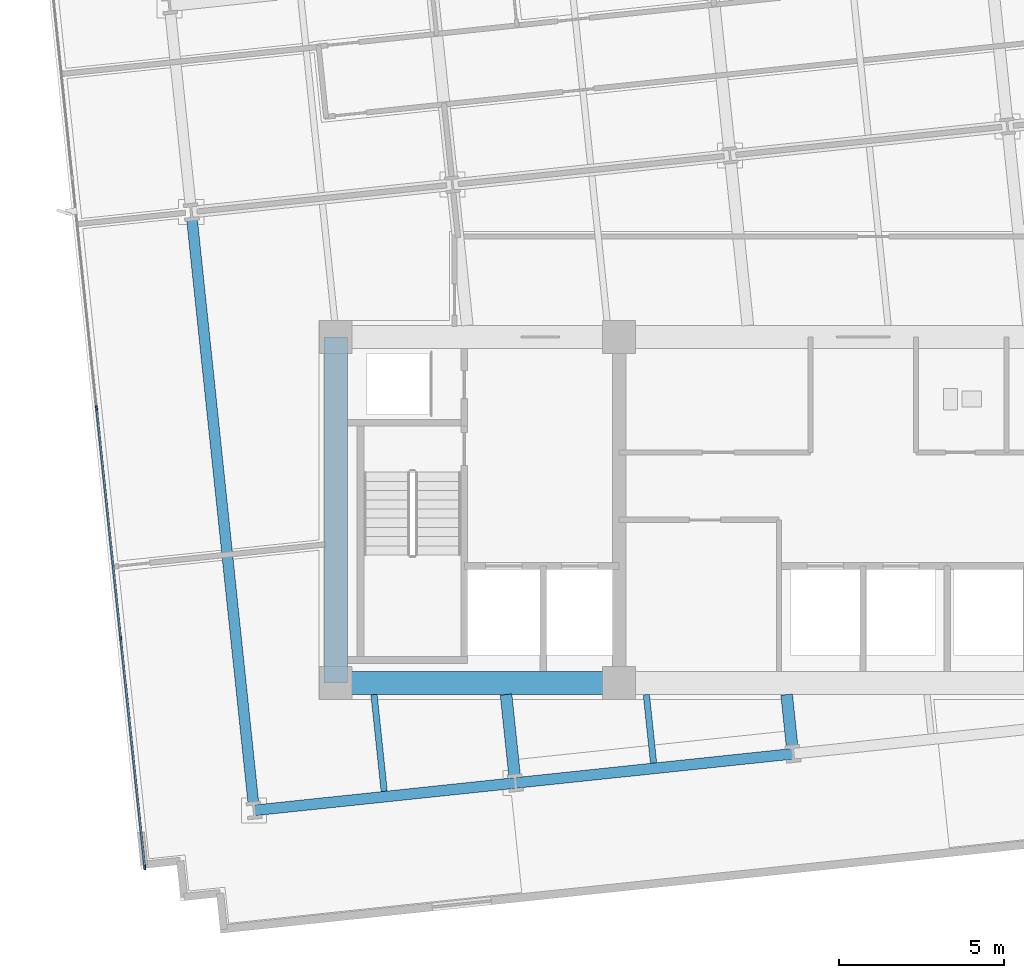
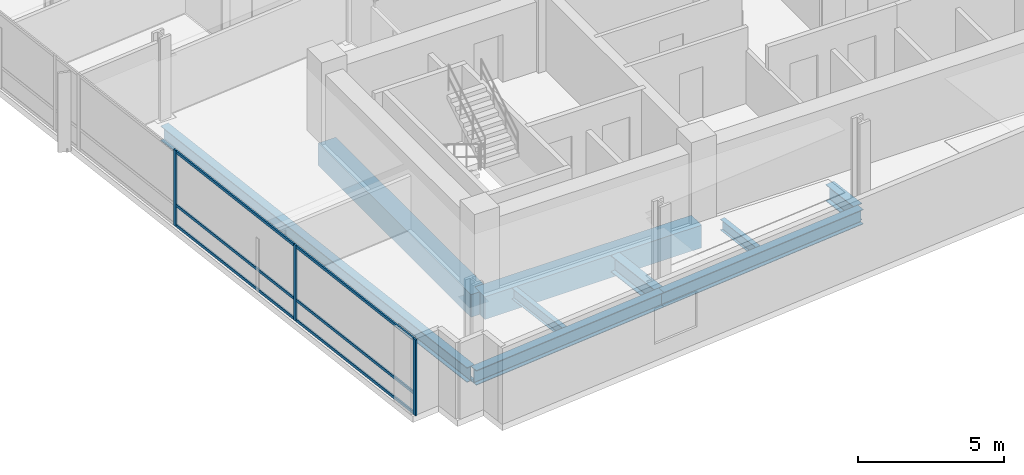
# One storey, part 2 of 20: 9 beams, 9 members, 1 element without a shape of its own.
"""IFC4 building model written with IfcOpenShell, lengths in metres."""

from ifc_helpers import new_model, si_unit, direction, frame, origin, origin_2d, place, context, subcontext, project, spatial, rectangle, i_section, extrude, material, material_profile, profile_set, type_object, element, aggregate, save


model = new_model("IFC4")

# Units and contexts
model_context = context("Model", 3, precision=1e-05, world=origin(), true_north=direction((0.0, 1.0)))
body_context = subcontext(model_context, "Body", "Model", "MODEL_VIEW")
ifc_project = project(units=[si_unit("LENGTHUNIT", "METRE"), si_unit("AREAUNIT", "SQUARE_METRE"), si_unit("VOLUMEUNIT", "CUBIC_METRE"), si_unit("PLANEANGLEUNIT", "RADIAN"), si_unit("MASSUNIT", "GRAM", prefix="KILO")], contexts=[model_context])

# Site, building, storey
site_placement = place(None, origin())
site = spatial("IfcSite", under=ifc_project, at=site_placement, CompositionType="ELEMENT")
building_placement = place(site_placement, origin())
building = spatial("IfcBuilding", under=site, at=building_placement, Name="Solmavex Isthmus Hotel", CompositionType="ELEMENT")
storey_placement = place(building_placement, frame((0.0, 0.0, 109.800048828125)))
storey = spatial("IfcBuildingStorey", under=building, at=storey_placement, Name="L29", CompositionType="ELEMENT", Elevation=109.800048828125)

# Beams
ifc_material_1 = material(Name="Steel ASTM A992 Grade 50", Category="steel")
ifc_material_profile_1 = material_profile(ifc_material_1, i_section(OverallWidth=0.354736328125, OverallDepth=0.695556640625, WebThickness=0.015380859375, FlangeThickness=0.02490234375, FilletRadius=0.017822265625, at=origin_2d()), Name="W27X146")
ifc_profile_set_1 = profile_set([ifc_material_profile_1], Name="Steel ASTM A992 Grade 50")
beam_type_1 = type_object("IfcBeamType", Name="BM-BG-W27X146", PredefinedType="BEAM", material=ifc_profile_set_1)
beam_1_placement = place(storey_placement, frame((-10.568115234375, -15.868896484375, -0.60791015625), z_axis=(-0.104589444628, 0.994515484079, 0.0), x_axis=(-0.994515484079, -0.104589444628, 0.0)))
element("IfcBeam", 1, at=beam_1_placement, inside=storey, type_object=beam_type_1, Name="Floor Beam L29-VG28", PredefinedType="BEAM", context=body_context, shape_type="SweptSolid", body=[
    extrude(i_section(OverallWidth=0.354736328125, OverallDepth=0.695556640625, WebThickness=0.015380859375, FlangeThickness=0.02490234375, FilletRadius=0.017822265625, at=origin_2d()), origin(), (0.0, 0.0, 1.0), 2.53271484375),
])
beam_2_placement = place(storey_placement, frame((-2.148681640625, -14.984130859375, -0.60791015625), z_axis=(-0.104460468373, 0.99452903957, 0.0), x_axis=(-0.99452903957, -0.104460468373, 0.0)))
element("IfcBeam", 2, at=beam_2_placement, inside=storey, type_object=beam_type_1, Name="Floor Beam L29-VG32", PredefinedType="BEAM", context=body_context, shape_type="SweptSolid", body=[
    extrude(i_section(OverallWidth=0.354736328125, OverallDepth=0.695556640625, WebThickness=0.015380859375, FlangeThickness=0.02490234375, FilletRadius=0.017822265625, at=origin_2d()), origin(), (0.0, 0.0, 1.0), 1.64306640625),
])
ifc_material_profile_2 = material_profile(ifc_material_1, i_section(OverallWidth=0.1904296875, OverallDepth=0.456787109375, WebThickness=0.009033203125, FlangeThickness=0.014404296875, FilletRadius=0.0126953125, at=origin_2d()), Name="W18X50")
ifc_profile_set_2 = profile_set([ifc_material_profile_2], Name="Steel ASTM A992 Grade 50")
beam_type_2 = type_object("IfcBeamType", Name="BM-BJ-W18X50", PredefinedType="JOIST", material=ifc_profile_set_2)
beam_3_placement = place(storey_placement, frame((-14.5302734375, -16.285400390625, -0.488525390625), z_axis=(-0.104555607512, 0.994519042019, 0.0), x_axis=(-0.994519042019, -0.104555607512, 0.0)))
element("IfcBeam", 3, at=beam_3_placement, inside=storey, type_object=beam_type_2, Name="Secondary Floor Joist L29-J01", PredefinedType="JOIST", context=body_context, shape_type="SweptSolid", body=[
    extrude(i_section(OverallWidth=0.1904296875, OverallDepth=0.456787109375, WebThickness=0.009033203125, FlangeThickness=0.014404296875, FilletRadius=0.0126953125, at=origin_2d()), origin(), (0.0, 0.0, 1.0), 2.951416015625),
])
beam_4_placement = place(storey_placement, frame((-6.3583984375, -15.426513671875, -0.488525390625), z_axis=(-0.104538696399, 0.99452081977, 0.0), x_axis=(-0.99452081977, -0.104538696399, 0.0)))
element("IfcBeam", 4, at=beam_4_placement, inside=storey, type_object=beam_type_2, Name="Secondary Floor Joist L29-J05", PredefinedType="JOIST", context=body_context, shape_type="SweptSolid", body=[
    extrude(i_section(OverallWidth=0.1904296875, OverallDepth=0.456787109375, WebThickness=0.009033203125, FlangeThickness=0.014404296875, FilletRadius=0.0126953125, at=origin_2d()), origin(), (0.0, 0.0, 1.0), 2.087890625),
])
ifc_material_2 = material(Name="Concrete C60/75", Category="concrete")
ifc_material_profile_3 = material_profile(ifc_material_2, rectangle(XDim=0.699951171875, YDim=0.949951171875, at=origin_2d()), Name="RC700X950")
ifc_profile_set_3 = profile_set([ifc_material_profile_3], Name="Concrete C60/75")
beam_type_3 = type_object("IfcBeamType", Name="BM-CB-700X950", PredefinedType="BEAM", material=ifc_profile_set_3)
beam_5_placement = place(storey_placement, frame((-16.0, -13.0, -0.735107421875), z_axis=(1.0, 0.0, 0.0), x_axis=(0.0, 1.0, 0.0)))
element("IfcBeam", 5, at=beam_5_placement, inside=storey, type_object=beam_type_3, Name="Core Coupling Beam L29-CB1", PredefinedType="BEAM", context=body_context, shape_type="SweptSolid", body=[
    extrude(rectangle(XDim=0.699951171875, YDim=0.949951171875, at=origin_2d()), origin(), (0.0, 0.0, 1.0), 8.60009765625),
])
beam_6_placement = place(storey_placement, frame((-16.0, -13.0, -0.735107421875), z_axis=(0.0, 1.0, 0.0), x_axis=(-1.0, 0.0, 0.0)))
element("IfcBeam", 6, at=beam_6_placement, inside=storey, type_object=beam_type_3, Name="Core Coupling Beam L29-CB7", PredefinedType="BEAM", context=body_context, shape_type="SweptSolid", body=[
    extrude(rectangle(XDim=0.699951171875, YDim=0.949951171875, at=origin_2d()), origin(), (0.0, 0.0, 1.0), 10.5),
])
ifc_material_profile_4 = material_profile(ifc_material_1, i_section(OverallWidth=0.326416015625, OverallDepth=0.621826171875, WebThickness=0.015380859375, FlangeThickness=0.0244140625, FilletRadius=0.01513671875, at=origin_2d()), Name="W24X131")
ifc_profile_set_4 = profile_set([ifc_material_profile_4], Name="Steel ASTM A992 Grade 50")
beam_type_4 = type_object("IfcBeamType", Name="BM-SP-W24X131", PredefinedType="SPANDREL", material=ifc_profile_set_4)
beam_7_placement = place(storey_placement, frame((-18.475341796875, -16.8642578125, -0.571044921875), z_axis=(0.994523402738, 0.104514120609, 0.0), x_axis=(-0.104514120609, 0.994523402738, 0.0)))
element("IfcBeam", 7, at=beam_7_placement, inside=storey, type_object=beam_type_4, Name="Floor Girder L29-UG01", PredefinedType="SPANDREL", context=body_context, shape_type="SweptSolid", body=[
    extrude(i_section(OverallWidth=0.326416015625, OverallDepth=0.621826171875, WebThickness=0.015380859375, FlangeThickness=0.0244140625, FilletRadius=0.01513671875, at=origin_2d()), origin(), (0.0, 0.0, 1.0), 7.968017578125),
])
beam_8_placement = place(storey_placement, frame((-10.551025390625, -16.031494140625, -0.571044921875), z_axis=(0.994520770064, 0.104539169271, 0.0), x_axis=(-0.104539169271, 0.994520770064, 0.0)))
element("IfcBeam", 8, at=beam_8_placement, inside=storey, type_object=beam_type_4, Name="Floor Girder L29-UG02", PredefinedType="SPANDREL", context=body_context, shape_type="SweptSolid", body=[
    extrude(i_section(OverallWidth=0.326416015625, OverallDepth=0.621826171875, WebThickness=0.015380859375, FlangeThickness=0.0244140625, FilletRadius=0.01513671875, at=origin_2d()), origin(), (0.0, 0.0, 1.0), 8.4658203125),
])
beam_9_placement = place(storey_placement, frame((-18.492431640625, -16.701904296875, -0.571044921875), z_axis=(-0.104530088192, 0.99452172458, 0.0), x_axis=(-0.99452172458, -0.104530088192, 0.0)))
element("IfcBeam", 9, at=beam_9_placement, inside=storey, type_object=beam_type_4, Name="Floor Beam L29-VG25", PredefinedType="SPANDREL", context=body_context, shape_type="SweptSolid", body=[
    extrude(i_section(OverallWidth=0.326416015625, OverallDepth=0.621826171875, WebThickness=0.015380859375, FlangeThickness=0.0244140625, FilletRadius=0.01513671875, at=origin_2d()), origin(), (0.0, 0.0, 1.0), 17.909423828125),
])

# Curtain wall, members
ifc_material_3 = material(Name="Aluminium alloy 6063-T6", Category="aluminium")
curtain_wall_type = type_object("IfcCurtainWallType", Name="CW-SYS-06", PredefinedType="NOTDEFINED", material=ifc_material_3)
curtain_wall_placement = place(storey_placement, origin())
curtain_wall = element("IfcCurtainWall", 10, at=curtain_wall_placement, inside=storey, type_object=curtain_wall_type, Name="Stick Curtain Wall CWL-L29-W1", PredefinedType="NOTDEFINED")
ifc_material_profile_5 = material_profile(ifc_material_3, rectangle(XDim=0.06005859375, YDim=0.139892578125, at=origin_2d()), Name="CWM-60X140")
ifc_profile_set_5 = profile_set([ifc_material_profile_5], Name="Aluminium alloy 6063-T6")
member_type_1 = type_object("IfcMemberType", Name="CW-SYS-06-MUL", PredefinedType="MULLION", material=ifc_profile_set_5)
member_1_placement = place(storey_placement, frame((-21.793212890625, -18.590576171875, 0.0), z_axis=(0.0, 0.0, 1.0), x_axis=(-0.994521893044, -0.104528485381, 0.0)))
member_1 = element("IfcMember", 11, at=member_1_placement, type_object=member_type_1, Name="CW-06 mullion 1", PredefinedType="MULLION", context=body_context, shape_type="SweptSolid", body=[
    extrude(rectangle(XDim=0.06005859375, YDim=0.139892578125, at=origin_2d()), origin(), (0.0, 0.0, 1.0), 3.18994140625),
])
member_2_placement = place(storey_placement, frame((-22.52392578125, -11.638916015625, 0.0), z_axis=(0.0, 0.0, 1.0), x_axis=(-0.994521893044, -0.104528485381, 0.0)))
member_2 = element("IfcMember", 12, at=member_2_placement, type_object=member_type_1, Name="CW-06 mullion 2", PredefinedType="MULLION", context=body_context, shape_type="SweptSolid", body=[
    extrude(rectangle(XDim=0.06005859375, YDim=0.139892578125, at=origin_2d()), origin(), (0.0, 0.0, 1.0), 3.18994140625),
])
member_3_placement = place(storey_placement, frame((-23.257568359375, -4.6572265625, 0.0), z_axis=(0.0, 0.0, 1.0), x_axis=(-0.994521893044, -0.104528485381, 0.0)))
member_3 = element("IfcMember", 13, at=member_3_placement, type_object=member_type_1, Name="CW-06 mullion 3", PredefinedType="MULLION", context=body_context, shape_type="SweptSolid", body=[
    extrude(rectangle(XDim=0.06005859375, YDim=0.139892578125, at=origin_2d()), origin(), (0.0, 0.0, 1.0), 3.18994140625),
])
ifc_material_profile_6 = material_profile(ifc_material_3, rectangle(XDim=0.06005859375, YDim=0.114990234375, at=origin_2d()), Name="CWT-60X115")
ifc_profile_set_6 = profile_set([ifc_material_profile_6], Name="Aluminium alloy 6063-T6")
member_type_2 = type_object("IfcMemberType", Name="CW-SYS-06-TRN", PredefinedType="USERDEFINED", material=ifc_profile_set_6)
member_4_placement = place(storey_placement, frame((-21.79638671875, -18.560791015625, 0.057373046875), z_axis=(-0.10452523802, 0.99452223435, 0.0), x_axis=(-0.99452223435, -0.10452523802, 0.0)))
member_4 = element("IfcMember", 14, at=member_4_placement, type_object=member_type_2, Name="CW-06 transom 1.1", ObjectType="TRANSOM", PredefinedType="USERDEFINED", context=body_context, shape_type="SweptSolid", body=[
    extrude(rectangle(XDim=0.06005859375, YDim=0.114990234375, at=origin_2d()), origin(), (0.0, 0.0, 1.0), 6.929931640625),
])
member_5_placement = place(storey_placement, frame((-21.79638671875, -18.560791015625, 0.89990234375), z_axis=(-0.10452523802, 0.99452223435, 0.0), x_axis=(-0.99452223435, -0.10452523802, 0.0)))
member_5 = element("IfcMember", 15, at=member_5_placement, type_object=member_type_2, Name="CW-06 transom 1.2", ObjectType="TRANSOM", PredefinedType="USERDEFINED", context=body_context, shape_type="SweptSolid", body=[
    extrude(rectangle(XDim=0.06005859375, YDim=0.114990234375, at=origin_2d()), origin(), (0.0, 0.0, 1.0), 6.929931640625),
])
member_6_placement = place(storey_placement, frame((-21.79638671875, -18.560791015625, 3.132568359375), z_axis=(-0.10452523802, 0.99452223435, 0.0), x_axis=(-0.99452223435, -0.10452523802, 0.0)))
member_6 = element("IfcMember", 16, at=member_6_placement, type_object=member_type_2, Name="CW-06 transom 1.3", ObjectType="TRANSOM", PredefinedType="USERDEFINED", context=body_context, shape_type="SweptSolid", body=[
    extrude(rectangle(XDim=0.06005859375, YDim=0.114990234375, at=origin_2d()), origin(), (0.0, 0.0, 1.0), 6.929931640625),
])
member_7_placement = place(storey_placement, frame((-22.527099609375, -11.60888671875, 0.057373046875), z_axis=(-0.104496708081, 0.99452523246, 0.0), x_axis=(-0.99452523246, -0.104496708081, 0.0)))
member_7 = element("IfcMember", 17, at=member_7_placement, type_object=member_type_2, Name="CW-06 transom 2.1", ObjectType="TRANSOM", PredefinedType="USERDEFINED", context=body_context, shape_type="SweptSolid", body=[
    extrude(rectangle(XDim=0.06005859375, YDim=0.114990234375, at=origin_2d()), origin(), (0.0, 0.0, 1.0), 6.9599609375),
])
member_8_placement = place(storey_placement, frame((-22.527099609375, -11.60888671875, 0.89990234375), z_axis=(-0.104496708081, 0.99452523246, 0.0), x_axis=(-0.99452523246, -0.104496708081, 0.0)))
member_8 = element("IfcMember", 18, at=member_8_placement, type_object=member_type_2, Name="CW-06 transom 2.2", ObjectType="TRANSOM", PredefinedType="USERDEFINED", context=body_context, shape_type="SweptSolid", body=[
    extrude(rectangle(XDim=0.06005859375, YDim=0.114990234375, at=origin_2d()), origin(), (0.0, 0.0, 1.0), 6.9599609375),
])
member_9_placement = place(storey_placement, frame((-22.527099609375, -11.60888671875, 3.132568359375), z_axis=(-0.104496708081, 0.99452523246, 0.0), x_axis=(-0.99452523246, -0.104496708081, 0.0)))
member_9 = element("IfcMember", 19, at=member_9_placement, type_object=member_type_2, Name="CW-06 transom 2.3", ObjectType="TRANSOM", PredefinedType="USERDEFINED", context=body_context, shape_type="SweptSolid", body=[
    extrude(rectangle(XDim=0.06005859375, YDim=0.114990234375, at=origin_2d()), origin(), (0.0, 0.0, 1.0), 6.9599609375),
])
aggregate(curtain_wall, [member_1, member_2, member_3, member_4, member_5, member_6, member_7, member_8, member_9])

save(model, "model.ifc")
